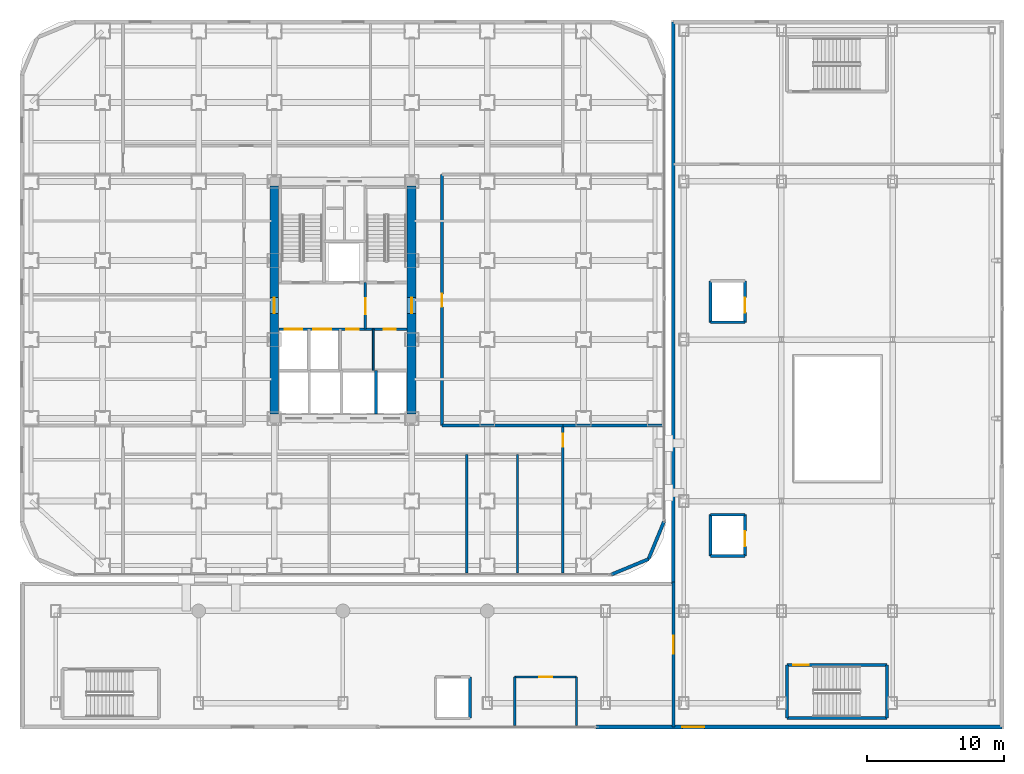
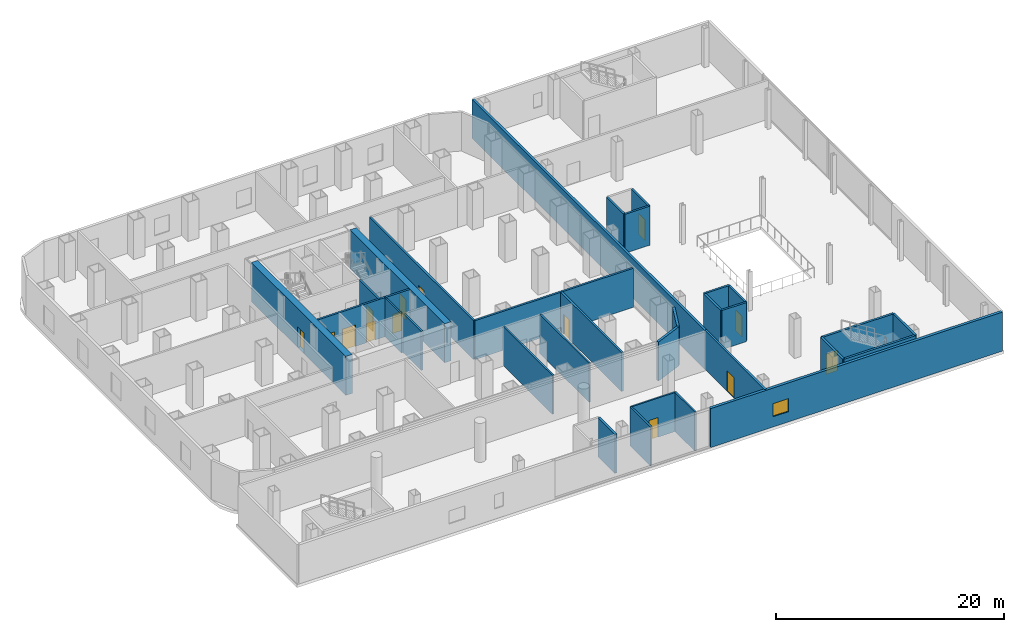
# One storey, part 20 of 26: 32 walls, 14 doors, 1 window, 15 openings.
"""IFC4 building model written with IfcOpenShell, lengths in metres."""

from ifc_helpers import new_model, si_unit, direction, frame, frame_2d, origin, place, context, subcontext, project, spatial, rectangle, extrude, material, layer, layer_set, type_object, element, fill, save


model = new_model("IFC4")

# Units and contexts
model_context = context("Model", 3, precision=1e-05, world=origin(), true_north=direction((0.0, 1.0)))
body_context = subcontext(model_context, "Body", "Model", "MODEL_VIEW")
ifc_project = project(units=[si_unit("LENGTHUNIT", "METRE"), si_unit("AREAUNIT", "SQUARE_METRE"), si_unit("VOLUMEUNIT", "CUBIC_METRE"), si_unit("PLANEANGLEUNIT", "RADIAN"), si_unit("MASSUNIT", "GRAM", prefix="KILO")], contexts=[model_context])

# Site, building, storey
site_placement = place(None, origin())
site = spatial("IfcSite", under=ifc_project, at=site_placement, CompositionType="ELEMENT")
building_placement = place(site_placement, origin())
building = spatial("IfcBuilding", under=site, at=building_placement, Name="Kolveth Station Tower", CompositionType="ELEMENT")
storey_placement = place(building_placement, frame((0.0, 0.0, 9.0)))
storey = spatial("IfcBuildingStorey", under=building, at=storey_placement, Name="L02", CompositionType="ELEMENT", Elevation=9.0)

# Wall, opening, door
ifc_material_1 = material(Name="Concrete C60/75", Category="concrete")
ifc_layer_1 = layer(ifc_material_1, 0.64990234375)
ifc_layer_set_1 = layer_set([ifc_layer_1], Name="Concrete C60/75")
wall_type_1 = type_object("IfcWallType", Name="Wall_CW-650", PredefinedType="SHEAR", material=ifc_layer_set_1)
wall_1_placement = place(storey_placement, frame((18.5, 11.824951171875, 0.0), z_axis=(0.0, 0.0, 1.0), x_axis=(0.0, 1.0, 0.0)))
wall_1 = element("IfcWall", 1, at=wall_1_placement, inside=storey, type_object=wall_type_1, Name="L02 Core RC Shear Wall W", PredefinedType="SHEAR", context=body_context, shape_type="SweptSolid", body=[
    extrude(rectangle(XDim=16.60009765625, YDim=0.64990234375, at=frame_2d((8.300048828125, 0.0))), origin(), (0.0, 0.0, 1.0), 4.179931640625),
])
opening_1_placement = place(wall_1_placement, frame((7.324951171875, 0.0, 0.0)))
opening_1 = element("IfcOpeningElement", 2, at=opening_1_placement, cuts=wall_1, Name="Opening FD1", PredefinedType="OPENING", context=body_context, shape_type="SweptSolid", body=[
    extrude(rectangle(XDim=1.14990234375, YDim=2.199951171875, at=frame_2d((0.574951171875, 1.10009765625))), frame((0.0, 0.3349609375, 0.0), z_axis=(0.0, -1.0, 0.0), x_axis=(1.0, 0.0, 0.0)), (0.0, 0.0, 1.0), 0.669921875),
])
ifc_material_2 = material(Name="Fire-rated Steel S355 leaf and frame", Category="steel")
door_type_1 = type_object("IfcDoorType", Name="Door_FD1", OperationType="NOTDEFINED", PredefinedType="DOOR", material=ifc_material_2)
door_1_placement = place(opening_1_placement, frame((1.14990234375, 0.0, 0.0), z_axis=(0.0, 0.0, 1.0), x_axis=(-1.0, 0.0, 0.0)))
door_1 = element("IfcDoor", 3, at=door_1_placement, inside=storey, type_object=door_type_1, Name="L02 West Corridor to Firefighting Lobby Door", OperationType="SINGLE_SWING_RIGHT", OverallHeight=2.199951171875, OverallWidth=1.14990234375, PredefinedType="DOOR", context=body_context, shape_type="SweptSolid", body=[
    extrude(rectangle(XDim=1.14990234375, YDim=2.199951171875, at=frame_2d((0.574951171875, 1.10009765625))), frame((0.0, 0.02490234375, 0.0), z_axis=(0.0, -1.0, 0.0), x_axis=(1.0, 0.0, 0.0)), (0.0, 0.0, 1.0), 0.050048828125),
])
fill(opening_1, door_1)

wall_2_placement = place(storey_placement, frame((28.5, 11.824951171875, 0.0), z_axis=(0.0, 0.0, 1.0), x_axis=(0.0, 1.0, 0.0)))
wall_2 = element("IfcWall", 4, at=wall_2_placement, inside=storey, type_object=wall_type_1, Name="L02 Core RC Shear Wall E", PredefinedType="SHEAR", context=body_context, shape_type="SweptSolid", body=[
    extrude(rectangle(XDim=16.60009765625, YDim=0.64990234375, at=frame_2d((8.300048828125, 0.0))), origin(), (0.0, 0.0, 1.0), 4.179931640625),
])
opening_2_placement = place(wall_2_placement, frame((7.324951171875, 0.0, 0.0)))
opening_2 = element("IfcOpeningElement", 5, at=opening_2_placement, cuts=wall_2, Name="Opening FD1", PredefinedType="OPENING", context=body_context, shape_type="SweptSolid", body=[
    extrude(rectangle(XDim=1.14990234375, YDim=2.199951171875, at=frame_2d((0.574951171875, 1.10009765625))), frame((0.0, 0.3349609375, 0.0), z_axis=(0.0, -1.0, 0.0), x_axis=(1.0, 0.0, 0.0)), (0.0, 0.0, 1.0), 0.669921875),
])
door_2_placement = place(opening_2_placement, origin())
door_2 = element("IfcDoor", 6, at=door_2_placement, inside=storey, type_object=door_type_1, Name="L02 East Corridor to Stair Lobby Door", OperationType="SINGLE_SWING_LEFT", OverallHeight=2.199951171875, OverallWidth=1.14990234375, PredefinedType="DOOR", context=body_context, shape_type="SweptSolid", body=[
    extrude(rectangle(XDim=1.14990234375, YDim=2.199951171875, at=frame_2d((0.574951171875, 1.10009765625))), frame((0.0, 0.02490234375, 0.0), z_axis=(0.0, -1.0, 0.0), x_axis=(1.0, 0.0, 0.0)), (0.0, 0.0, 1.0), 0.050048828125),
])
fill(opening_2, door_2)

# Walls
ifc_material_3 = material(Name="Precast concrete C40/50", Category="concrete")
ifc_layer_2 = layer(ifc_material_3, 0.239990234375)
ifc_layer_set_2 = layer_set([ifc_layer_2], Name="Precast concrete C40/50")
wall_type_2 = type_object("IfcWallType", Name="Wall_EW-240", PredefinedType="SOLIDWALL", material=ifc_layer_set_2)
for number, where, z_axis, x_axis, name in (
    (7, (43.0, 0.139892578125, 0.0), (0.0, 0.0, 1.0), (0.923876833688, 0.382689947836, 0.0), "L02 Podium Rounded Corner Wall 1"),
    (8, (45.7294921875, 1.2705078125, 0.0), (0.0, 0.0, 1.0), (0.382689947836, 0.923876833688, 0.0), "L02 Podium Rounded Corner Wall 2"),
):
    element("IfcWall", number, at=place(storey_placement, frame(where, z_axis=z_axis, x_axis=x_axis)), inside=storey, type_object=wall_type_2, Name=name, PredefinedType="SOLIDWALL", context=body_context, shape_type="SweptSolid", body=[
        extrude(rectangle(XDim=2.954345703125, YDim=0.239990234375, at=frame_2d((1.47705078125, 0.0))), origin(), (0.0, 0.0, 1.0), 4.179931640625),
    ])
wall_3_placement = place(storey_placement, frame((47.5400390625, -0.5400390625, 0.0), z_axis=(0.0, 0.0, 1.0), x_axis=(0.0, 1.0, 0.0)))
element("IfcWall", 9, at=wall_3_placement, inside=storey, type_object=wall_type_2, Name="L02 Station Exterior Wall JW", PredefinedType="SOLIDWALL", context=body_context, shape_type="SweptSolid", body=[
    extrude(rectangle(XDim=40.89013671875, YDim=0.239990234375, at=frame_2d((20.445068359375, 0.0))), origin(), (0.0, 0.0, 1.0), 4.179931640625),
])

# Wall, opening, window
ifc_layer_3 = layer(ifc_material_3, 0.280029296875)
ifc_layer_set_3 = layer_set([ifc_layer_3], Name="Precast concrete C40/50")
wall_type_3 = type_object("IfcWallType", Name="Wall_EW-280", PredefinedType="SOLIDWALL", material=ifc_layer_set_3)
wall_4_placement = place(storey_placement, frame((41.89990234375, -10.949951171875, 0.0), z_axis=(0.0, 0.0, 1.0), x_axis=(1.0, 0.0, 0.0)))
wall_4 = element("IfcWall", 10, at=wall_4_placement, inside=storey, type_object=wall_type_3, Name="L02 Station Exterior Wall S2", PredefinedType="SOLIDWALL", context=body_context, shape_type="SweptSolid", body=[
    extrude(rectangle(XDim=29.550048828125, YDim=0.280029296875, at=frame_2d((14.77490234375, 0.0))), origin(), (0.0, 0.0, 1.0), 4.179931640625),
])
opening_3_placement = place(wall_4_placement, frame((6.300048828125, 0.0, 1.10009765625)))
opening_3 = element("IfcOpeningElement", 11, at=opening_3_placement, cuts=wall_4, Name="Opening W7", PredefinedType="OPENING", context=body_context, shape_type="SweptSolid", body=[
    extrude(rectangle(XDim=1.60009765625, YDim=1.39990234375, at=frame_2d((0.800048828125, 0.699951171875))), frame((0.0, 0.14990234375, 0.0), z_axis=(0.0, -1.0, 0.0), x_axis=(1.0, 0.0, 0.0)), (0.0, 0.0, 1.0), 0.300048828125),
])
ifc_material_4 = material(Name="Black anodized aluminium 6063-T6 and triple low-E glass", Category="aluminium")
window_type = type_object("IfcWindowType", Name="Win_W7", PartitioningType="SINGLE_PANEL", PredefinedType="WINDOW", material=ifc_material_4)
window_placement = place(opening_3_placement, origin())
window = element("IfcWindow", 12, at=window_placement, inside=storey, type_object=window_type, Name="L02 Station Hall Window 3", OverallHeight=1.39990234375, OverallWidth=1.60009765625, PartitioningType="SINGLE_PANEL", PredefinedType="WINDOW", context=body_context, shape_type="SweptSolid", body=[
    extrude(rectangle(XDim=1.60009765625, YDim=1.39990234375, at=frame_2d((0.800048828125, 0.699951171875))), frame((0.0, 0.030029296875, 0.0), z_axis=(0.0, -1.0, 0.0), x_axis=(1.0, 0.0, 0.0)), (0.0, 0.0, 1.0), 0.06005859375),
])
fill(opening_3, window)

# Walls
ifc_material_5 = material(Name="Moisture-resistant gypsum partition")
ifc_layer_4 = layer(ifc_material_5, 0.135009765625)
ifc_layer_set_4 = layer_set([ifc_layer_4], Name="Moisture-resistant gypsum partition")
wall_type_4 = type_object("IfcWallType", Name="Wall_IW-135", PredefinedType="PARTITIONING", material=ifc_layer_set_4)
wall_5_placement = place(storey_placement, frame((25.699951171875, 15.0, 0.0), z_axis=(0.0, 0.0, 1.0), x_axis=(0.0, 1.0, 0.0)))
element("IfcWall", 13, at=wall_5_placement, inside=storey, type_object=wall_type_4, Name="L02 Partition Wall WL-L02-CB-V1", PredefinedType="PARTITIONING", context=body_context, shape_type="SweptSolid", body=[
    extrude(rectangle(XDim=3.0, YDim=0.135009765625, at=frame_2d((1.5, 0.0))), origin(), (0.0, 0.0, 1.0), 4.179931640625),
])
ifc_material_6 = material(Name="Acoustic double-stud gypsum partition")
ifc_layer_5 = layer(ifc_material_6, 0.1650390625)
ifc_layer_set_5 = layer_set([ifc_layer_5], Name="Acoustic double-stud gypsum partition")
wall_type_5 = type_object("IfcWallType", Name="Wall_IW-165", PredefinedType="PARTITIONING", material=ifc_layer_set_5)
for number, where, z_axis, x_axis, name in (
    (14, (32.5, 0.25, 0.0), (0.0, 0.0, 1.0), (0.0, 1.0, 0.0), "L02 Partition Wall WL-L02-TPS-P2"),
    (15, (36.199951171875, 0.25, 0.0), (0.0, 0.0, 1.0), (0.0, 1.0, 0.0), "L02 Partition Wall WL-L02-TPS-P3"),
):
    element("IfcWall", number, at=place(storey_placement, frame(where, z_axis=z_axis, x_axis=x_axis)), inside=storey, type_object=wall_type_5, Name=name, PredefinedType="PARTITIONING", context=body_context, shape_type="SweptSolid", body=[
        extrude(rectangle(XDim=8.64990234375, YDim=0.1650390625, at=frame_2d((4.324951171875, 0.0))), origin(), (0.0, 0.0, 1.0), 4.179931640625),
    ])

# Wall, opening, door
wall_6_placement = place(storey_placement, frame((36.0, -7.300048828125, 0.0), z_axis=(0.0, 0.0, 1.0), x_axis=(1.0, 0.0, 0.0)))
wall_6 = element("IfcWall", 16, at=wall_6_placement, inside=storey, type_object=wall_type_5, Name="L02 Partition Wall WL-L02-SWC-N", PredefinedType="PARTITIONING", context=body_context, shape_type="SweptSolid", body=[
    extrude(rectangle(XDim=4.5, YDim=0.1650390625, at=frame_2d((2.25, 0.0))), origin(), (0.0, 0.0, 1.0), 4.179931640625),
])
opening_4_placement = place(wall_6_placement, frame((1.800048828125, 0.0, 0.0)))
opening_4 = element("IfcOpeningElement", 17, at=opening_4_placement, cuts=wall_6, Name="Opening ID2", PredefinedType="OPENING", context=body_context, shape_type="SweptSolid", body=[
    extrude(rectangle(XDim=0.919921875, YDim=2.10009765625, at=frame_2d((0.4599609375, 1.050048828125))), frame((0.0, 0.092529296875, 0.0), z_axis=(0.0, -1.0, 0.0), x_axis=(1.0, 0.0, 0.0)), (0.0, 0.0, 1.0), 0.18505859375),
])
ifc_material_7 = material(Name="Moisture-resistant hardwood leaf", Category="wood")
door_type_2 = type_object("IfcDoorType", Name="Door_ID2", OperationType="NOTDEFINED", PredefinedType="DOOR", material=ifc_material_7)
door_3_placement = place(opening_4_placement, origin())
door_3 = element("IfcDoor", 18, at=door_3_placement, inside=storey, type_object=door_type_2, Name="L02 Station Accessible WC Door", OperationType="SINGLE_SWING_RIGHT", OverallHeight=2.10009765625, OverallWidth=0.919921875, PredefinedType="DOOR", context=body_context, shape_type="SweptSolid", body=[
    extrude(rectangle(XDim=0.919921875, YDim=2.10009765625, at=frame_2d((0.4599609375, 1.050048828125))), frame((0.0, 0.02490234375, 0.0), z_axis=(0.0, -1.0, 0.0), x_axis=(1.0, 0.0, 0.0)), (0.0, 0.0, 1.0), 0.050048828125),
])
fill(opening_4, door_3)

# Walls
for number, where, z_axis, x_axis, name in (
    (19, (36.0, -10.85009765625, 0.0), (0.0, 0.0, 1.0), (0.0, 1.0, 0.0), "L02 Partition Wall WL-L02-SWC-W"),
    (20, (40.5, -10.85009765625, 0.0), (0.0, 0.0, 1.0), (0.0, 1.0, 0.0), "L02 Partition Wall WL-L02-SWC-E"),
):
    element("IfcWall", number, at=place(storey_placement, frame(where, z_axis=z_axis, x_axis=x_axis)), inside=storey, type_object=wall_type_5, Name=name, PredefinedType="PARTITIONING", context=body_context, shape_type="SweptSolid", body=[
        extrude(rectangle(XDim=3.550048828125, YDim=0.1650390625, at=frame_2d((1.77490234375, 0.0))), origin(), (0.0, 0.0, 1.0), 4.179931640625),
    ])

# Wall, opening, door
ifc_material_8 = material(Name="Acoustic fire-rated gypsum blockwork", Category="masonry")
ifc_layer_6 = layer(ifc_material_8, 0.199951171875)
ifc_layer_set_6 = layer_set([ifc_layer_6], Name="Acoustic fire-rated gypsum blockwork")
wall_type_6 = type_object("IfcWallType", Name="Wall_IW-200", PredefinedType="PARTITIONING", material=ifc_layer_set_6)
wall_7_placement = place(storey_placement, frame((25.1298828125, 18.0, 0.0), z_axis=(0.0, 0.0, 1.0), x_axis=(0.0, 1.0, 0.0)))
wall_7 = element("IfcWall", 21, at=wall_7_placement, inside=storey, type_object=wall_type_6, Name="L02 Partition Wall WL-L02-FFL-E", PredefinedType="PARTITIONING", context=body_context, shape_type="SweptSolid", body=[
    extrude(rectangle(XDim=3.389892578125, YDim=0.199951171875, at=frame_2d((1.69482421875, 0.0))), origin(), (0.0, 0.0, 1.0), 4.179931640625),
])
opening_5_placement = place(wall_7_placement, frame((1.10009765625, 0.0, 0.0)))
opening_5 = element("IfcOpeningElement", 22, at=opening_5_placement, cuts=wall_7, Name="Opening FD1", PredefinedType="OPENING", context=body_context, shape_type="SweptSolid", body=[
    extrude(rectangle(XDim=1.14990234375, YDim=2.199951171875, at=frame_2d((0.574951171875, 1.10009765625))), frame((0.0, 0.10986328125, 0.0), z_axis=(0.0, -1.0, 0.0), x_axis=(1.0, 0.0, 0.0)), (0.0, 0.0, 1.0), 0.219970703125),
])
door_4_placement = place(opening_5_placement, origin())
door_4 = element("IfcDoor", 23, at=door_4_placement, inside=storey, type_object=door_type_1, Name="L02 Firefighting to Stair Lobby Door", OperationType="SINGLE_SWING_LEFT", OverallHeight=2.199951171875, OverallWidth=1.14990234375, PredefinedType="DOOR", context=body_context, shape_type="SweptSolid", body=[
    extrude(rectangle(XDim=1.14990234375, YDim=2.199951171875, at=frame_2d((0.574951171875, 1.10009765625))), frame((0.0, 0.02490234375, 0.0), z_axis=(0.0, -1.0, 0.0), x_axis=(1.0, 0.0, 0.0)), (0.0, 0.0, 1.0), 0.050048828125),
])
fill(opening_5, door_4)

# Wall, openings, doors
wall_8_placement = place(storey_placement, frame((18.8349609375, 18.0, 0.0), z_axis=(0.0, 0.0, 1.0), x_axis=(1.0, 0.0, 0.0)))
wall_8 = element("IfcWall", 24, at=wall_8_placement, inside=storey, type_object=wall_type_6, Name="L02 Partition Wall WL-L02-FFL-S", PredefinedType="PARTITIONING", context=body_context, shape_type="SweptSolid", body=[
    extrude(rectangle(XDim=9.330078125, YDim=0.199951171875, at=frame_2d((4.6650390625, 0.0))), origin(), (0.0, 0.0, 1.0), 4.179931640625),
])
opening_6_placement = place(wall_8_placement, frame((0.4150390625, 0.0, 0.0)))
opening_6 = element("IfcOpeningElement", 25, at=opening_6_placement, cuts=wall_8, Name="Opening LD2", PredefinedType="OPENING", context=body_context, shape_type="SweptSolid", body=[
    extrude(rectangle(XDim=1.300048828125, YDim=2.300048828125, at=frame_2d((0.64990234375, 1.14990234375))), frame((0.0, 0.10986328125, 0.0), z_axis=(0.0, -1.0, 0.0), x_axis=(1.0, 0.0, 0.0)), (0.0, 0.0, 1.0), 0.219970703125),
])
opening_7_placement = place(wall_8_placement, frame((2.514892578125, 0.0, 0.0)))
opening_7 = element("IfcOpeningElement", 26, at=opening_7_placement, cuts=wall_8, Name="Opening LD2", PredefinedType="OPENING", context=body_context, shape_type="SweptSolid", body=[
    extrude(rectangle(XDim=1.300048828125, YDim=2.300048828125, at=frame_2d((0.64990234375, 1.14990234375))), frame((0.0, 0.10986328125, 0.0), z_axis=(0.0, -1.0, 0.0), x_axis=(1.0, 0.0, 0.0)), (0.0, 0.0, 1.0), 0.219970703125),
])
opening_8_placement = place(wall_8_placement, frame((4.9150390625, 0.0, 0.0)))
opening_8 = element("IfcOpeningElement", 27, at=opening_8_placement, cuts=wall_8, Name="Opening RD1", PredefinedType="OPENING", context=body_context, shape_type="SweptSolid", body=[
    extrude(rectangle(XDim=0.89990234375, YDim=2.050048828125, at=frame_2d((0.449951171875, 1.02490234375))), frame((0.0, 0.10986328125, 0.0), z_axis=(0.0, -1.0, 0.0), x_axis=(1.0, 0.0, 0.0)), (0.0, 0.0, 1.0), 0.219970703125),
])
opening_9_placement = place(wall_8_placement, frame((7.614990234375, 0.0, 0.0)))
opening_9 = element("IfcOpeningElement", 28, at=opening_9_placement, cuts=wall_8, Name="Opening RD1", PredefinedType="OPENING", context=body_context, shape_type="SweptSolid", body=[
    extrude(rectangle(XDim=0.89990234375, YDim=2.050048828125, at=frame_2d((0.449951171875, 1.02490234375))), frame((0.0, 0.10986328125, 0.0), z_axis=(0.0, -1.0, 0.0), x_axis=(1.0, 0.0, 0.0)), (0.0, 0.0, 1.0), 0.219970703125),
])
ifc_material_9 = material(Name="Firefighting stainless steel sliding landing doors", Category="steel")
door_type_3 = type_object("IfcDoorType", Name="Door_LD2", OperationType="NOTDEFINED", PredefinedType="DOOR", material=ifc_material_9)
door_5_placement = place(opening_6_placement, origin())
door_5 = element("IfcDoor", 29, at=door_5_placement, inside=storey, type_object=door_type_3, Name="L02 Firefighting Lift FF1 Landing Door", OperationType="DOUBLE_DOOR_SLIDING", OverallHeight=2.300048828125, OverallWidth=1.300048828125, PredefinedType="DOOR", context=body_context, shape_type="SweptSolid", body=[
    extrude(rectangle(XDim=1.300048828125, YDim=2.300048828125, at=frame_2d((0.64990234375, 1.14990234375))), frame((0.0, 0.02490234375, 0.0), z_axis=(0.0, -1.0, 0.0), x_axis=(1.0, 0.0, 0.0)), (0.0, 0.0, 1.0), 0.050048828125),
])
fill(opening_6, door_5)
door_6_placement = place(opening_7_placement, origin())
door_6 = element("IfcDoor", 30, at=door_6_placement, inside=storey, type_object=door_type_3, Name="L02 Firefighting Lift FF2 Landing Door", OperationType="DOUBLE_DOOR_SLIDING", OverallHeight=2.300048828125, OverallWidth=1.300048828125, PredefinedType="DOOR", context=body_context, shape_type="SweptSolid", body=[
    extrude(rectangle(XDim=1.300048828125, YDim=2.300048828125, at=frame_2d((0.64990234375, 1.14990234375))), frame((0.0, 0.02490234375, 0.0), z_axis=(0.0, -1.0, 0.0), x_axis=(1.0, 0.0, 0.0)), (0.0, 0.0, 1.0), 0.050048828125),
])
fill(opening_7, door_6)
ifc_material_10 = material(Name="Fire-rated Steel S355 riser access leaf", Category="steel")
door_type_4 = type_object("IfcDoorType", Name="Door_RD1", OperationType="NOTDEFINED", PredefinedType="DOOR", material=ifc_material_10)
door_7_placement = place(opening_8_placement, frame((0.89990234375, 0.0, 0.0), z_axis=(0.0, 0.0, 1.0), x_axis=(-1.0, 0.0, 0.0)))
door_7 = element("IfcDoor", 31, at=door_7_placement, inside=storey, type_object=door_type_4, Name="L02 Core Accessible WC Door", OperationType="SINGLE_SWING_LEFT", OverallHeight=2.050048828125, OverallWidth=0.89990234375, PredefinedType="DOOR", context=body_context, shape_type="SweptSolid", body=[
    extrude(rectangle(XDim=0.89990234375, YDim=2.050048828125, at=frame_2d((0.449951171875, 1.02490234375))), frame((0.0, 0.02490234375, 0.0), z_axis=(0.0, -1.0, 0.0), x_axis=(1.0, 0.0, 0.0)), (0.0, 0.0, 1.0), 0.050048828125),
])
fill(opening_8, door_7)
door_8_placement = place(opening_9_placement, frame((0.89990234375, 0.0, 0.0), z_axis=(0.0, 0.0, 1.0), x_axis=(-1.0, 0.0, 0.0)))
door_8 = element("IfcDoor", 32, at=door_8_placement, inside=storey, type_object=door_type_4, Name="L02 Core Cleaner Store Door", OperationType="SINGLE_SWING_LEFT", OverallHeight=2.050048828125, OverallWidth=0.89990234375, PredefinedType="DOOR", context=body_context, shape_type="SweptSolid", body=[
    extrude(rectangle(XDim=0.89990234375, YDim=2.050048828125, at=frame_2d((0.449951171875, 1.02490234375))), frame((0.0, 0.02490234375, 0.0), z_axis=(0.0, -1.0, 0.0), x_axis=(1.0, 0.0, 0.0)), (0.0, 0.0, 1.0), 0.050048828125),
])
fill(opening_9, door_8)

# Walls
wall_9_placement = place(storey_placement, frame((25.89990234375, 11.8349609375, 0.0), z_axis=(0.0, 0.0, 1.0), x_axis=(0.0, 1.0, 0.0)))
element("IfcWall", 33, at=wall_9_placement, inside=storey, type_object=wall_type_6, Name="L02 Partition Wall WL-L02-PMPH", PredefinedType="PARTITIONING", context=body_context, shape_type="SweptSolid", body=[
    extrude(rectangle(XDim=3.1650390625, YDim=0.199951171875, at=frame_2d((1.58251953125, 0.0))), origin(), (0.0, 0.0, 1.0), 4.179931640625),
])
wall_10_placement = place(storey_placement, frame((30.699951171875, 11.0, 0.0), z_axis=(0.0, 0.0, 1.0), x_axis=(1.0, 0.0, 0.0)))
element("IfcWall", 34, at=wall_10_placement, inside=storey, type_object=wall_type_6, Name="L02 Partition Wall WL-L02-BSET", PredefinedType="PARTITIONING", context=body_context, shape_type="SweptSolid", body=[
    extrude(rectangle(XDim=8.800048828125, YDim=0.199951171875, at=frame_2d((4.39990234375, 0.0))), origin(), (0.0, 0.0, 1.0), 4.179931640625),
])

# Wall, opening, door
wall_11_placement = place(storey_placement, frame((30.699951171875, 11.0, 0.0), z_axis=(0.0, 0.0, 1.0), x_axis=(0.0, 1.0, 0.0)))
wall_11 = element("IfcWall", 35, at=wall_11_placement, inside=storey, type_object=wall_type_6, Name="L02 Partition Wall WL-L02-BE", PredefinedType="PARTITIONING", context=body_context, shape_type="SweptSolid", body=[
    extrude(rectangle(XDim=18.25, YDim=0.199951171875, at=frame_2d((9.125, 0.0))), origin(), (0.0, 0.0, 1.0), 4.179931640625),
])
opening_10_placement = place(wall_11_placement, frame((8.625, 0.0, 0.0)))
opening_10 = element("IfcOpeningElement", 36, at=opening_10_placement, cuts=wall_11, Name="Opening ID1", PredefinedType="OPENING", context=body_context, shape_type="SweptSolid", body=[
    extrude(rectangle(XDim=0.949951171875, YDim=2.14990234375, at=frame_2d((0.47509765625, 1.074951171875))), frame((0.0, 0.10986328125, 0.0), z_axis=(0.0, -1.0, 0.0), x_axis=(1.0, 0.0, 0.0)), (0.0, 0.0, 1.0), 0.219970703125),
])
ifc_material_11 = material(Name="Acoustic hardwood leaf and aluminium frame", Category="wood")
door_type_5 = type_object("IfcDoorType", Name="Door_ID1", OperationType="NOTDEFINED", PredefinedType="DOOR", material=ifc_material_11)
door_9_placement = place(opening_10_placement, origin())
door_9 = element("IfcDoor", 37, at=door_9_placement, inside=storey, type_object=door_type_5, Name="L02 Podium Retail Unit East Door", OperationType="SINGLE_SWING_RIGHT", OverallHeight=2.14990234375, OverallWidth=0.949951171875, PredefinedType="DOOR", context=body_context, shape_type="SweptSolid", body=[
    extrude(rectangle(XDim=0.949951171875, YDim=2.14990234375, at=frame_2d((0.47509765625, 1.074951171875))), frame((0.0, 0.02490234375, 0.0), z_axis=(0.0, -1.0, 0.0), x_axis=(1.0, 0.0, 0.0)), (0.0, 0.0, 1.0), 0.050048828125),
])
fill(opening_10, door_9)

wall_12_placement = place(storey_placement, frame((39.5, 0.25, 0.0), z_axis=(0.0, 0.0, 1.0), x_axis=(0.0, 1.0, 0.0)))
wall_12 = element("IfcWall", 38, at=wall_12_placement, inside=storey, type_object=wall_type_6, Name="L02 Partition Wall WL-L02-BES", PredefinedType="PARTITIONING", context=body_context, shape_type="SweptSolid", body=[
    extrude(rectangle(XDim=10.75, YDim=0.199951171875, at=frame_2d((5.375, 0.0))), origin(), (0.0, 0.0, 1.0), 4.179931640625),
])
opening_11_placement = place(wall_12_placement, frame((9.199951171875, 0.0, 0.0)))
opening_11 = element("IfcOpeningElement", 39, at=opening_11_placement, cuts=wall_12, Name="Opening ID1", PredefinedType="OPENING", context=body_context, shape_type="SweptSolid", body=[
    extrude(rectangle(XDim=0.949951171875, YDim=2.14990234375, at=frame_2d((0.47509765625, 1.074951171875))), frame((0.0, 0.10986328125, 0.0), z_axis=(0.0, -1.0, 0.0), x_axis=(1.0, 0.0, 0.0)), (0.0, 0.0, 1.0), 0.219970703125),
])
door_10_placement = place(opening_11_placement, origin())
door_10 = element("IfcDoor", 40, at=door_10_placement, inside=storey, type_object=door_type_5, Name="L02 Podium Retail Unit CSE Door", OperationType="SINGLE_SWING_RIGHT", OverallHeight=2.14990234375, OverallWidth=0.949951171875, PredefinedType="DOOR", context=body_context, shape_type="SweptSolid", body=[
    extrude(rectangle(XDim=0.949951171875, YDim=2.14990234375, at=frame_2d((0.47509765625, 1.074951171875))), frame((0.0, 0.02490234375, 0.0), z_axis=(0.0, -1.0, 0.0), x_axis=(1.0, 0.0, 0.0)), (0.0, 0.0, 1.0), 0.050048828125),
])
fill(opening_11, door_10)

# Walls
wall_13_placement = place(storey_placement, frame((39.5, 11.0, 0.0), z_axis=(0.0, 0.0, 1.0), x_axis=(1.0, 0.0, 0.0)))
element("IfcWall", 41, at=wall_13_placement, inside=storey, type_object=wall_type_6, Name="L02 Partition Wall WL-L02-BEM1", PredefinedType="PARTITIONING", context=body_context, shape_type="SweptSolid", body=[
    extrude(rectangle(XDim=7.25, YDim=0.199951171875, at=frame_2d((3.625, 0.0))), origin(), (0.0, 0.0, 1.0), 4.179931640625),
])
for number, where, z_axis, x_axis, name in (
    (42, (50.25, 1.5, 0.0), (0.0, 0.0, 1.0), (1.0, 0.0, 0.0), "L02 Partition Wall WL-L02-SL1-S"),
    (43, (50.25, 4.5, 0.0), (0.0, 0.0, 1.0), (1.0, 0.0, 0.0), "L02 Partition Wall WL-L02-SL1-N"),
):
    element("IfcWall", number, at=place(storey_placement, frame(where, z_axis=z_axis, x_axis=x_axis)), inside=storey, type_object=wall_type_6, Name=name, PredefinedType="PARTITIONING", context=body_context, shape_type="SweptSolid", body=[
        extrude(rectangle(XDim=2.5, YDim=0.199951171875, at=frame_2d((1.25, 0.0))), origin(), (0.0, 0.0, 1.0), 4.179931640625),
    ])
wall_14_placement = place(storey_placement, frame((50.25, 1.5, 0.0), z_axis=(0.0, 0.0, 1.0), x_axis=(0.0, 1.0, 0.0)))
element("IfcWall", 44, at=wall_14_placement, inside=storey, type_object=wall_type_6, Name="L02 Partition Wall WL-L02-SL1-W", PredefinedType="PARTITIONING", context=body_context, shape_type="SweptSolid", body=[
    extrude(rectangle(XDim=3.0, YDim=0.199951171875, at=frame_2d((1.5, 0.0))), origin(), (0.0, 0.0, 1.0), 4.179931640625),
])

# Wall, opening, door
wall_15_placement = place(storey_placement, frame((52.75, 1.5, 0.0), z_axis=(0.0, 0.0, 1.0), x_axis=(0.0, 1.0, 0.0)))
wall_15 = element("IfcWall", 45, at=wall_15_placement, inside=storey, type_object=wall_type_6, Name="L02 Partition Wall WL-L02-SL1-E", PredefinedType="PARTITIONING", context=body_context, shape_type="SweptSolid", body=[
    extrude(rectangle(XDim=3.0, YDim=0.199951171875, at=frame_2d((1.5, 0.0))), origin(), (0.0, 0.0, 1.0), 4.179931640625),
])
opening_12_placement = place(wall_15_placement, frame((0.699951171875, 0.0, 0.0)))
opening_12 = element("IfcOpeningElement", 46, at=opening_12_placement, cuts=wall_15, Name="Opening LD1", PredefinedType="OPENING", context=body_context, shape_type="SweptSolid", body=[
    extrude(rectangle(XDim=1.10009765625, YDim=2.25, at=frame_2d((0.550048828125, 1.125))), frame((0.0, 0.10986328125, 0.0), z_axis=(0.0, -1.0, 0.0), x_axis=(1.0, 0.0, 0.0)), (0.0, 0.0, 1.0), 0.219970703125),
])
ifc_material_12 = material(Name="Brushed stainless steel sliding landing doors", Category="steel")
door_type_6 = type_object("IfcDoorType", Name="Door_LD1", OperationType="NOTDEFINED", PredefinedType="DOOR", material=ifc_material_12)
door_11_placement = place(opening_12_placement, origin())
door_11 = element("IfcDoor", 47, at=door_11_placement, inside=storey, type_object=door_type_6, Name="L02 Station Lift SL1 Landing Door", OperationType="DOUBLE_DOOR_SLIDING", OverallHeight=2.25, OverallWidth=1.10009765625, PredefinedType="DOOR", context=body_context, shape_type="SweptSolid", body=[
    extrude(rectangle(XDim=1.10009765625, YDim=2.25, at=frame_2d((0.550048828125, 1.125))), frame((0.0, 0.02490234375, 0.0), z_axis=(0.0, -1.0, 0.0), x_axis=(1.0, 0.0, 0.0)), (0.0, 0.0, 1.0), 0.050048828125),
])
fill(opening_12, door_11)

# Walls
wall_16_placement = place(storey_placement, frame((50.25, 18.5, 0.0), z_axis=(0.0, 0.0, 1.0), x_axis=(1.0, 0.0, 0.0)))
element("IfcWall", 48, at=wall_16_placement, inside=storey, type_object=wall_type_6, Name="L02 Partition Wall WL-L02-SL2-S", PredefinedType="PARTITIONING", context=body_context, shape_type="SweptSolid", body=[
    extrude(rectangle(XDim=2.5, YDim=0.199951171875, at=frame_2d((1.25, 0.0))), origin(), (0.0, 0.0, 1.0), 4.179931640625),
])
wall_17_placement = place(storey_placement, frame((50.25, 18.5, 0.0), z_axis=(0.0, 0.0, 1.0), x_axis=(0.0, 1.0, 0.0)))
element("IfcWall", 49, at=wall_17_placement, inside=storey, type_object=wall_type_6, Name="L02 Partition Wall WL-L02-SL2-W", PredefinedType="PARTITIONING", context=body_context, shape_type="SweptSolid", body=[
    extrude(rectangle(XDim=3.0, YDim=0.199951171875, at=frame_2d((1.5, 0.0))), origin(), (0.0, 0.0, 1.0), 4.179931640625),
])

# Wall, opening, door
wall_18_placement = place(storey_placement, frame((52.75, 18.5, 0.0), z_axis=(0.0, 0.0, 1.0), x_axis=(0.0, 1.0, 0.0)))
wall_18 = element("IfcWall", 50, at=wall_18_placement, inside=storey, type_object=wall_type_6, Name="L02 Partition Wall WL-L02-SL2-E", PredefinedType="PARTITIONING", context=body_context, shape_type="SweptSolid", body=[
    extrude(rectangle(XDim=3.0, YDim=0.199951171875, at=frame_2d((1.5, 0.0))), origin(), (0.0, 0.0, 1.0), 4.179931640625),
])
opening_13_placement = place(wall_18_placement, frame((0.699951171875, 0.0, 0.0)))
opening_13 = element("IfcOpeningElement", 51, at=opening_13_placement, cuts=wall_18, Name="Opening LD1", PredefinedType="OPENING", context=body_context, shape_type="SweptSolid", body=[
    extrude(rectangle(XDim=1.10009765625, YDim=2.25, at=frame_2d((0.550048828125, 1.125))), frame((0.0, 0.10986328125, 0.0), z_axis=(0.0, -1.0, 0.0), x_axis=(1.0, 0.0, 0.0)), (0.0, 0.0, 1.0), 0.219970703125),
])
door_12_placement = place(opening_13_placement, origin())
door_12 = element("IfcDoor", 52, at=door_12_placement, inside=storey, type_object=door_type_6, Name="L02 Station Lift SL2 Landing Door", OperationType="DOUBLE_DOOR_SLIDING", OverallHeight=2.25, OverallWidth=1.10009765625, PredefinedType="DOOR", context=body_context, shape_type="SweptSolid", body=[
    extrude(rectangle(XDim=1.10009765625, YDim=2.25, at=frame_2d((0.550048828125, 1.125))), frame((0.0, 0.02490234375, 0.0), z_axis=(0.0, -1.0, 0.0), x_axis=(1.0, 0.0, 0.0)), (0.0, 0.0, 1.0), 0.050048828125),
])
fill(opening_13, door_12)

# Wall
wall_19_placement = place(storey_placement, frame((32.75, -10.300048828125, 0.0), z_axis=(0.0, 0.0, 1.0), x_axis=(0.0, 1.0, 0.0)))
element("IfcWall", 53, at=wall_19_placement, inside=storey, type_object=wall_type_6, Name="L02 Partition Wall WL-L02-SL3-E", PredefinedType="PARTITIONING", context=body_context, shape_type="SweptSolid", body=[
    extrude(rectangle(XDim=3.0, YDim=0.199951171875, at=frame_2d((1.5, 0.0))), origin(), (0.0, 0.0, 1.0), 4.179931640625),
])

# Wall, opening, door
wall_20_placement = place(storey_placement, frame((47.550048828125, -10.949951171875, 0.0), z_axis=(0.0, 0.0, 1.0), x_axis=(0.0, 1.0, 0.0)))
wall_20 = element("IfcWall", 54, at=wall_20_placement, inside=storey, type_object=wall_type_6, Name="L02 Partition Wall WL-L02-STN-SE", PredefinedType="PARTITIONING", context=body_context, shape_type="SweptSolid", body=[
    extrude(rectangle(XDim=10.550048828125, YDim=0.199951171875, at=frame_2d((5.27490234375, 0.0))), origin(), (0.0, 0.0, 1.0), 4.179931640625),
])
opening_14_placement = place(wall_20_placement, frame((5.35009765625, 0.0, 0.0)))
opening_14 = element("IfcOpeningElement", 55, at=opening_14_placement, cuts=wall_20, Name="Opening ID3", PredefinedType="OPENING", context=body_context, shape_type="SweptSolid", body=[
    extrude(rectangle(XDim=1.300048828125, YDim=2.199951171875, at=frame_2d((0.64990234375, 1.10009765625))), frame((0.0, 0.10986328125, 0.0), z_axis=(0.0, -1.0, 0.0), x_axis=(1.0, 0.0, 0.0)), (0.0, 0.0, 1.0), 0.219970703125),
])
ifc_material_13 = material(Name="Glazed acoustic office double leaf")
door_type_7 = type_object("IfcDoorType", Name="Door_ID3", OperationType="NOTDEFINED", PredefinedType="DOOR", material=ifc_material_13)
door_13_placement = place(opening_14_placement, origin())
door_13 = element("IfcDoor", 56, at=door_13_placement, inside=storey, type_object=door_type_7, Name="L02 Station South-to-East Concourse Door", OperationType="DOUBLE_DOOR_SINGLE_SWING", OverallHeight=2.199951171875, OverallWidth=1.300048828125, PredefinedType="DOOR", context=body_context, shape_type="SweptSolid", body=[
    extrude(rectangle(XDim=1.300048828125, YDim=2.199951171875, at=frame_2d((0.64990234375, 1.10009765625))), frame((0.0, 0.02490234375, 0.0), z_axis=(0.0, -1.0, 0.0), x_axis=(1.0, 0.0, 0.0)), (0.0, 0.0, 1.0), 0.050048828125),
])
fill(opening_14, door_13)

# Wall
ifc_material_14 = material(Name="Concrete C40/50", Category="concrete")
ifc_layer_7 = layer(ifc_material_14, 0.219970703125)
ifc_layer_set_7 = layer_set([ifc_layer_7], Name="Concrete C40/50")
wall_type_7 = type_object("IfcWallType", Name="Wall_IW-220", PredefinedType="SOLIDWALL", material=ifc_layer_set_7)
wall_21_placement = place(storey_placement, frame((55.800048828125, -10.300048828125, 0.0), z_axis=(0.0, 0.0, 1.0), x_axis=(1.0, 0.0, 0.0)))
element("IfcWall", 57, at=wall_21_placement, inside=storey, type_object=wall_type_7, Name="L02 Stair Shaft Wall WL-L02-ST4-S", PredefinedType="SOLIDWALL", context=body_context, shape_type="SweptSolid", body=[
    extrude(rectangle(XDim=7.300048828125, YDim=0.219970703125, at=frame_2d((3.64990234375, 0.0))), origin(), (0.0, 0.0, 1.0), 4.179931640625),
])

# Wall, opening, door
wall_22_placement = place(storey_placement, frame((55.800048828125, -6.43994140625, 0.0), z_axis=(0.0, 0.0, 1.0), x_axis=(1.0, 0.0, 0.0)))
wall_22 = element("IfcWall", 58, at=wall_22_placement, inside=storey, type_object=wall_type_7, Name="L02 Stair Shaft Wall WL-L02-ST4-N", PredefinedType="SOLIDWALL", context=body_context, shape_type="SweptSolid", body=[
    extrude(rectangle(XDim=7.300048828125, YDim=0.219970703125, at=frame_2d((3.64990234375, 0.0))), origin(), (0.0, 0.0, 1.0), 4.179931640625),
])
opening_15_placement = place(wall_22_placement, frame((0.449951171875, 0.0, 0.0)))
opening_15 = element("IfcOpeningElement", 59, at=opening_15_placement, cuts=wall_22, Name="Opening FD1", PredefinedType="OPENING", context=body_context, shape_type="SweptSolid", body=[
    extrude(rectangle(XDim=1.14990234375, YDim=2.199951171875, at=frame_2d((0.574951171875, 1.10009765625))), frame((0.0, 0.119873046875, 0.0), z_axis=(0.0, -1.0, 0.0), x_axis=(1.0, 0.0, 0.0)), (0.0, 0.0, 1.0), 0.239990234375),
])
door_14_placement = place(opening_15_placement, origin())
door_14 = element("IfcDoor", 60, at=door_14_placement, inside=storey, type_object=door_type_1, Name="L02 Station Stair ST4 Door", OperationType="SINGLE_SWING_LEFT", OverallHeight=2.199951171875, OverallWidth=1.14990234375, PredefinedType="DOOR", context=body_context, shape_type="SweptSolid", body=[
    extrude(rectangle(XDim=1.14990234375, YDim=2.199951171875, at=frame_2d((0.574951171875, 1.10009765625))), frame((0.0, 0.02490234375, 0.0), z_axis=(0.0, -1.0, 0.0), x_axis=(1.0, 0.0, 0.0)), (0.0, 0.0, 1.0), 0.050048828125),
])
fill(opening_15, door_14)

# Walls
for number, where, z_axis, x_axis, name in (
    (61, (55.800048828125, -10.300048828125, 0.0), (0.0, 0.0, 1.0), (0.0, 1.0, 0.0), "L02 Stair Shaft Wall WL-L02-ST4-W"),
    (62, (63.10009765625, -10.300048828125, 0.0), (0.0, 0.0, 1.0), (0.0, 1.0, 0.0), "L02 Stair Shaft Wall WL-L02-ST4-E"),
):
    element("IfcWall", number, at=place(storey_placement, frame(where, z_axis=z_axis, x_axis=x_axis)), inside=storey, type_object=wall_type_7, Name=name, PredefinedType="SOLIDWALL", context=body_context, shape_type="SweptSolid", body=[
        extrude(rectangle(XDim=3.860107421875, YDim=0.219970703125, at=frame_2d((1.93017578125, 0.0))), origin(), (0.0, 0.0, 1.0), 4.179931640625),
    ])

save(model, "model.ifc")
